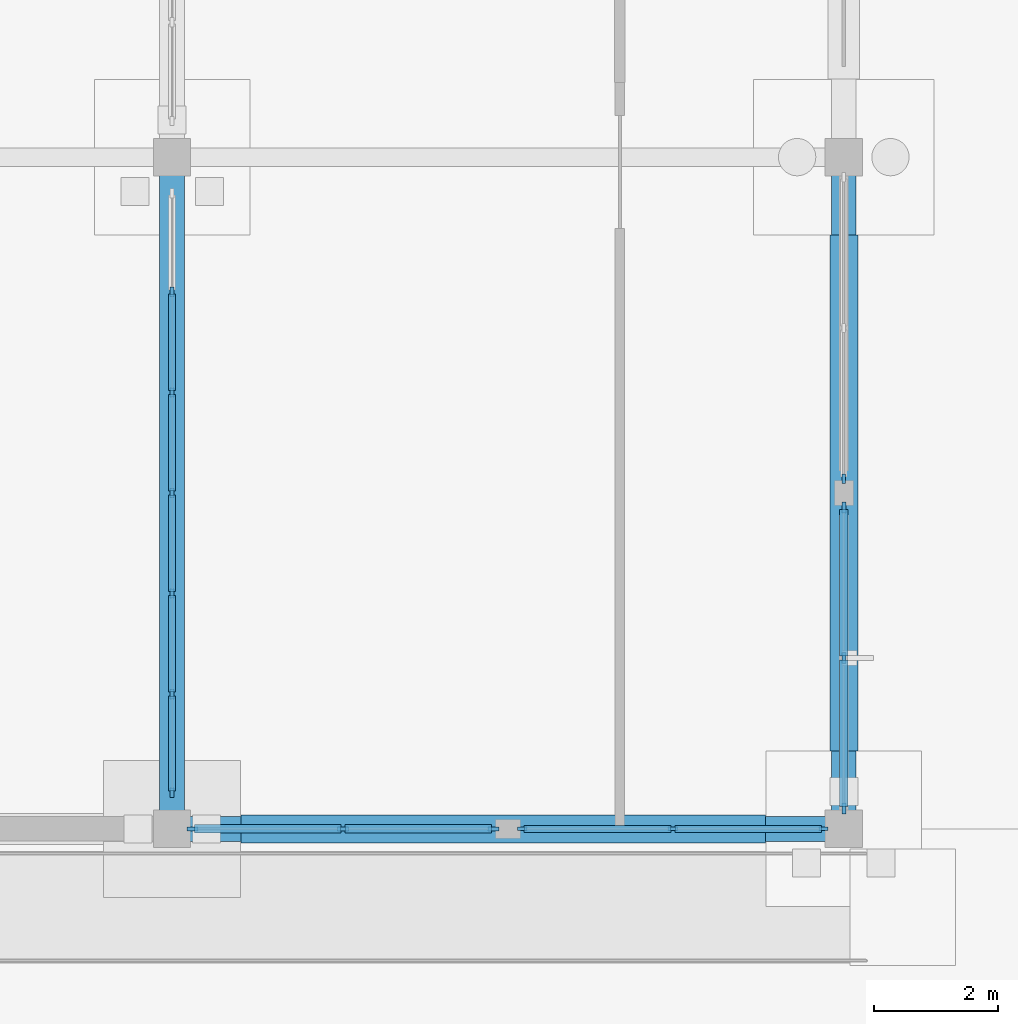
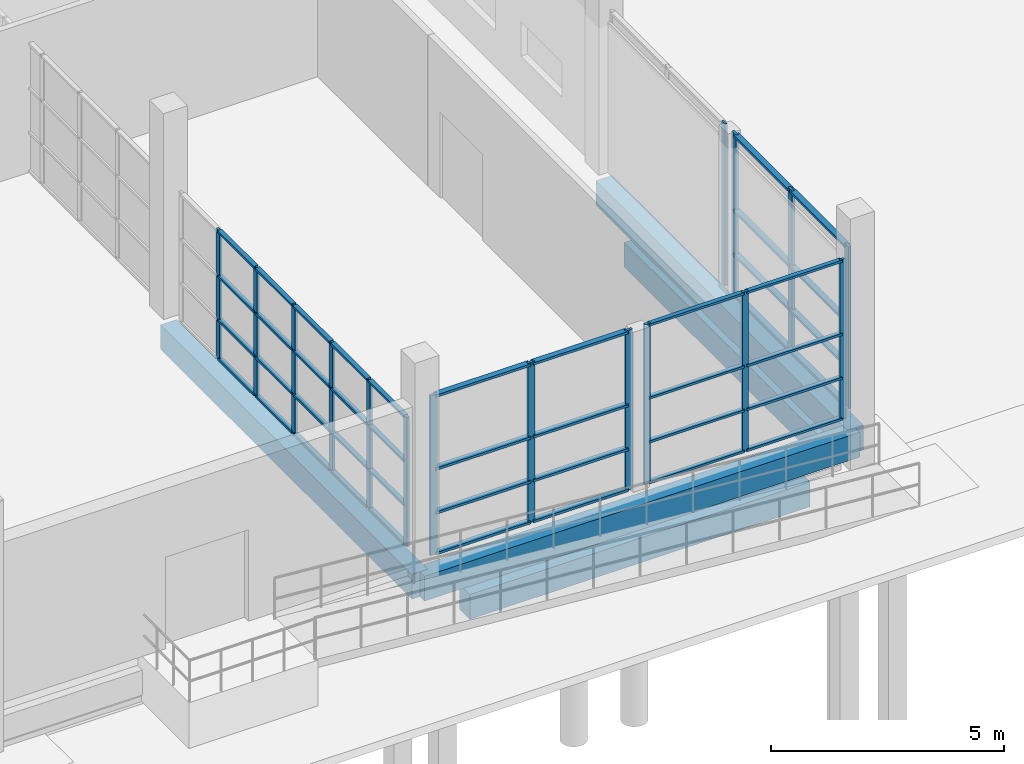
# One storey, part 19 of 138: 60 members, 5 beams, 5 elements without a shape of their own.
"""IFC4 building model written with IfcOpenShell, lengths in metres."""

from ifc_helpers import new_model, si_unit, direction, frame, origin, origin_2d, place, context, subcontext, project, spatial, rectangle, extrude, material, material_profile, profile_set, type_object, element, aggregate, save


model = new_model("IFC4")

# Units and contexts
model_context = context("Model", 3, precision=1e-05, world=origin(), true_north=direction((0.0, 1.0)))
body_context = subcontext(model_context, "Body", "Model", "MODEL_VIEW")
ifc_project = project(units=[si_unit("LENGTHUNIT", "METRE"), si_unit("AREAUNIT", "SQUARE_METRE"), si_unit("VOLUMEUNIT", "CUBIC_METRE"), si_unit("PLANEANGLEUNIT", "RADIAN"), si_unit("MASSUNIT", "GRAM", prefix="KILO")], contexts=[model_context])

# Site, building, storey
site_placement = place(None, origin())
site = spatial("IfcSite", under=ifc_project, at=site_placement, CompositionType="ELEMENT")
building_placement = place(site_placement, origin())
building = spatial("IfcBuilding", under=site, at=building_placement, Name="Zwinboog Wholesale Market", CompositionType="ELEMENT")
storey_placement = place(building_placement, origin())
storey = spatial("IfcBuildingStorey", under=building, at=storey_placement, Name="L00", CompositionType="ELEMENT", Elevation=0.0)

# Beams
ifc_material_1 = material(Name="Precast concrete C45/55", Category="concrete")
ifc_material_profile_1 = material_profile(ifc_material_1, rectangle(XDim=0.39990234375, YDim=0.64990234375, at=origin_2d()), Name="PC 400x650")
ifc_profile_set_1 = profile_set([ifc_material_profile_1], Name="Precast concrete C45/55")
beam_type_1 = type_object("IfcBeamType", Name="BT-05", PredefinedType="BEAM", material=ifc_profile_set_1)
for number, where, z_axis, x_axis, name in (
    (1, (32.39990234375, 0.0, -0.675048828125), (1.0, 0.0, 0.0), (0.0, 1.0, 0.0), "BG-05 (BMG-L00-0324-0000-0004)"),
    (2, (32.39990234375, 0.0, -0.675048828125), (0.0, 1.0, 0.0), (-1.0, 0.0, 0.0), "BG-05 (BMG-L00-0324-0000-0247)"),
    (3, (43.199951171875, 0.0, -0.675048828125), (0.0, 1.0, 0.0), (-1.0, 0.0, 0.0), "BG-05 (BMG-L00-0432-0000-0259)"),
):
    element("IfcBeam", number, at=place(storey_placement, frame(where, z_axis=z_axis, x_axis=x_axis)), inside=storey, type_object=beam_type_1, Name=name, PredefinedType="BEAM", context=body_context, shape_type="SweptSolid", body=[
        extrude(rectangle(XDim=0.39990234375, YDim=0.64990234375, at=origin_2d()), origin(), (0.0, 0.0, 1.0), 10.800048828125),
    ])
ifc_material_2 = material(Name="Concrete C35/45", Category="concrete")
ifc_material_profile_2 = material_profile(ifc_material_2, rectangle(XDim=0.449951171875, YDim=0.64990234375, at=origin_2d()), Name="RC 450x650")
ifc_profile_set_2 = profile_set([ifc_material_profile_2], Name="Concrete C35/45")
beam_type_2 = type_object("IfcBeamType", Name="BT-13", PredefinedType="USERDEFINED", material=ifc_profile_set_2)
beam_1_placement = place(storey_placement, frame((33.5048828125, 0.0, -1.52490234375), z_axis=(1.0, 0.0, 0.0), x_axis=(0.0, 1.0, 0.0)))
element("IfcBeam", 4, at=beam_1_placement, inside=storey, type_object=beam_type_2, Name="GB-02 (BM-GB-0004)", ObjectType="GROUND_BEAM", PredefinedType="USERDEFINED", context=body_context, shape_type="SweptSolid", body=[
    extrude(rectangle(XDim=0.449951171875, YDim=0.64990234375, at=origin_2d()), origin(), (0.0, 0.0, 1.0), 8.440185546875),
])
beam_2_placement = place(storey_placement, frame((43.199951171875, 1.2548828125, -1.52490234375), z_axis=(0.0, 1.0, 0.0), x_axis=(-1.0, 0.0, 0.0)))
element("IfcBeam", 5, at=beam_2_placement, inside=storey, type_object=beam_type_2, Name="GB-02 (BM-GB-0139)", ObjectType="GROUND_BEAM", PredefinedType="USERDEFINED", context=body_context, shape_type="SweptSolid", body=[
    extrude(rectangle(XDim=0.449951171875, YDim=0.64990234375, at=origin_2d()), origin(), (0.0, 0.0, 1.0), 8.2900390625),
])

# Curtain wall, members
ifc_material_3 = material(Name="Aluminium thermally broken curtain wall", Category="aluminium")
curtain_wall_type_1 = type_object("IfcCurtainWallType", Name="CWT-STALL-18", PredefinedType="USERDEFINED", material=ifc_material_3)
curtain_wall_1_placement = place(storey_placement, origin())
curtain_wall_1 = element("IfcCurtainWall", 6, at=curtain_wall_1_placement, inside=storey, type_object=curtain_wall_type_1, Name="CW-01 (CW-L00-019)", ObjectType="STOREFRONT_GLAZING", PredefinedType="USERDEFINED")
ifc_material_4 = material(Name="Aluminium EN AW-6060", Category="aluminium")
ifc_material_profile_3 = material_profile(ifc_material_4, rectangle(XDim=0.06494140625, YDim=0.179931640625, at=origin_2d()), Name="AL 65x180")
ifc_profile_set_3 = profile_set([ifc_material_profile_3], Name="Aluminium EN AW-6060")
member_type_1 = type_object("IfcMemberType", Name="CWM-65x180", PredefinedType="MULLION", material=ifc_profile_set_3)
member_1_placement = place(storey_placement, frame((32.7275390625, 0.0, 0.0), z_axis=(0.0, 0.0, 1.0), x_axis=(0.0, 1.0, 0.0)))
member_1 = element("IfcMember", 7, at=member_1_placement, type_object=member_type_1, Name="CW-01 mullion 1", PredefinedType="MULLION", context=body_context, shape_type="SweptSolid", body=[
    extrude(rectangle(XDim=0.06494140625, YDim=0.179931640625, at=origin_2d()), origin(), (0.0, 0.0, 1.0), 4.197998046875),
])
member_2_placement = place(storey_placement, frame((35.1474609375, 0.0, 0.0), z_axis=(0.0, 0.0, 1.0), x_axis=(0.0, 1.0, 0.0)))
member_2 = element("IfcMember", 8, at=member_2_placement, type_object=member_type_1, Name="CW-01 mullion 2", PredefinedType="MULLION", context=body_context, shape_type="SweptSolid", body=[
    extrude(rectangle(XDim=0.06494140625, YDim=0.179931640625, at=origin_2d()), origin(), (0.0, 0.0, 1.0), 4.197998046875),
])
member_3_placement = place(storey_placement, frame((37.5673828125, 0.0, 0.0), z_axis=(0.0, 0.0, 1.0), x_axis=(0.0, 1.0, 0.0)))
member_3 = element("IfcMember", 9, at=member_3_placement, type_object=member_type_1, Name="CW-01 mullion 3", PredefinedType="MULLION", context=body_context, shape_type="SweptSolid", body=[
    extrude(rectangle(XDim=0.06494140625, YDim=0.179931640625, at=origin_2d()), origin(), (0.0, 0.0, 1.0), 4.197998046875),
])

curtain_wall_type_2 = type_object("IfcCurtainWallType", Name="CWT-HALL-24", PredefinedType="USERDEFINED", material=ifc_material_3)
curtain_wall_2_placement = place(storey_placement, origin())
curtain_wall_2 = element("IfcCurtainWall", 10, at=curtain_wall_2_placement, inside=storey, type_object=curtain_wall_type_2, Name="CW-03 (CW-L00-021)", ObjectType="UNITIZED_CURTAIN_WALL", PredefinedType="USERDEFINED")
member_4_placement = place(storey_placement, frame((43.199951171875, 0.327392578125, 0.0), z_axis=(0.0, 0.0, 1.0), x_axis=(-1.0, 0.0, 0.0)))
member_4 = element("IfcMember", 11, at=member_4_placement, type_object=member_type_1, Name="CW-03 mullion 1", PredefinedType="MULLION", context=body_context, shape_type="SweptSolid", body=[
    extrude(rectangle(XDim=0.06494140625, YDim=0.179931640625, at=origin_2d()), origin(), (0.0, 0.0, 1.0), 4.25),
])
member_5_placement = place(storey_placement, frame((43.199951171875, 2.74755859375, 0.0), z_axis=(0.0, 0.0, 1.0), x_axis=(-1.0, 0.0, 0.0)))
member_5 = element("IfcMember", 12, at=member_5_placement, type_object=member_type_1, Name="CW-03 mullion 2", PredefinedType="MULLION", context=body_context, shape_type="SweptSolid", body=[
    extrude(rectangle(XDim=0.06494140625, YDim=0.179931640625, at=origin_2d()), origin(), (0.0, 0.0, 1.0), 4.25),
])
member_6_placement = place(storey_placement, frame((43.199951171875, 5.16748046875, 0.0), z_axis=(0.0, 0.0, 1.0), x_axis=(-1.0, 0.0, 0.0)))
member_6 = element("IfcMember", 13, at=member_6_placement, type_object=member_type_1, Name="CW-03 mullion 3", PredefinedType="MULLION", context=body_context, shape_type="SweptSolid", body=[
    extrude(rectangle(XDim=0.06494140625, YDim=0.179931640625, at=origin_2d()), origin(), (0.0, 0.0, 1.0), 4.25),
])

curtain_wall_type_3 = type_object("IfcCurtainWallType", Name="CWT-STALL-20", PredefinedType="USERDEFINED", material=ifc_material_3)
curtain_wall_3_placement = place(storey_placement, origin())
curtain_wall_3 = element("IfcCurtainWall", 14, at=curtain_wall_3_placement, inside=storey, type_object=curtain_wall_type_3, Name="CW-02 (CW-L00-020)", ObjectType="STOREFRONT_GLAZING", PredefinedType="USERDEFINED")
ifc_material_profile_4 = material_profile(ifc_material_4, rectangle(XDim=0.06005859375, YDim=0.14990234375, at=origin_2d()), Name="AL 60x150")
ifc_profile_set_4 = profile_set([ifc_material_profile_4], Name="Aluminium EN AW-6060")
member_type_2 = type_object("IfcMemberType", Name="CWM-60x150", PredefinedType="MULLION", material=ifc_profile_set_4)
member_7_placement = place(storey_placement, frame((38.030029296875, 0.0, 0.0), z_axis=(0.0, 0.0, 1.0), x_axis=(0.0, 1.0, 0.0)))
member_7 = element("IfcMember", 15, at=member_7_placement, type_object=member_type_2, Name="CW-02 mullion 1", PredefinedType="MULLION", context=body_context, shape_type="SweptSolid", body=[
    extrude(rectangle(XDim=0.06005859375, YDim=0.14990234375, at=origin_2d()), origin(), (0.0, 0.0, 1.0), 4.197998046875),
])
member_8_placement = place(storey_placement, frame((40.452392578125, 0.0, 0.0), z_axis=(0.0, 0.0, 1.0), x_axis=(0.0, 1.0, 0.0)))
member_8 = element("IfcMember", 16, at=member_8_placement, type_object=member_type_2, Name="CW-02 mullion 2", PredefinedType="MULLION", context=body_context, shape_type="SweptSolid", body=[
    extrude(rectangle(XDim=0.06005859375, YDim=0.14990234375, at=origin_2d()), origin(), (0.0, 0.0, 1.0), 4.197998046875),
])
member_9_placement = place(storey_placement, frame((42.875, 0.0, 0.0), z_axis=(0.0, 0.0, 1.0), x_axis=(0.0, 1.0, 0.0)))
member_9 = element("IfcMember", 17, at=member_9_placement, type_object=member_type_2, Name="CW-02 mullion 3", PredefinedType="MULLION", context=body_context, shape_type="SweptSolid", body=[
    extrude(rectangle(XDim=0.06005859375, YDim=0.14990234375, at=origin_2d()), origin(), (0.0, 0.0, 1.0), 4.197998046875),
])

# Curtain wall, member
curtain_wall_type_4 = type_object("IfcCurtainWallType", Name="CWT-GAL-16", PredefinedType="USERDEFINED", material=ifc_material_3)
curtain_wall_4_placement = place(storey_placement, origin())
curtain_wall_4 = element("IfcCurtainWall", 18, at=curtain_wall_4_placement, inside=storey, type_object=curtain_wall_type_4, Name="CW-04 (CW-L00-022)", ObjectType="UNITIZED_CURTAIN_WALL", PredefinedType="USERDEFINED")
member_10_placement = place(storey_placement, frame((43.199951171875, 5.6298828125, 0.0), z_axis=(0.0, 0.0, 1.0), x_axis=(-1.0, 0.0, 0.0)))
member_10 = element("IfcMember", 19, at=member_10_placement, type_object=member_type_2, Name="CW-04 mullion 1", PredefinedType="MULLION", context=body_context, shape_type="SweptSolid", body=[
    extrude(rectangle(XDim=0.06005859375, YDim=0.14990234375, at=origin_2d()), origin(), (0.0, 0.0, 1.0), 4.25),
])
aggregate(curtain_wall_4, [member_10])

# Member
ifc_material_profile_5 = material_profile(ifc_material_4, rectangle(XDim=0.139892578125, YDim=0.06494140625, at=origin_2d()), Name="AL 65x140")
ifc_profile_set_5 = profile_set([ifc_material_profile_5], Name="Aluminium EN AW-6060")
member_type_3 = type_object("IfcMemberType", Name="CWT-65x140", PredefinedType="USERDEFINED", material=ifc_profile_set_5)
member_11_placement = place(storey_placement, frame((32.760009765625, 0.0, 0.032470703125), z_axis=(1.0, 0.0, 0.0), x_axis=(0.0, 1.0, 0.0)))
member_11 = element("IfcMember", 20, at=member_11_placement, type_object=member_type_3, Name="CW-01 transom 1.1", ObjectType="TRANSOM", PredefinedType="USERDEFINED", context=body_context, shape_type="SweptSolid", body=[
    extrude(rectangle(XDim=0.139892578125, YDim=0.06494140625, at=origin_2d()), origin(), (0.0, 0.0, 1.0), 2.35498046875),
])

member_12_placement = place(storey_placement, frame((32.760009765625, 0.0, 1.10009765625), z_axis=(1.0, 0.0, 0.0), x_axis=(0.0, 1.0, 0.0)))
member_12 = element("IfcMember", 21, at=member_12_placement, type_object=member_type_3, Name="CW-01 transom 1.2", ObjectType="TRANSOM", PredefinedType="USERDEFINED", context=body_context, shape_type="SweptSolid", body=[
    extrude(rectangle(XDim=0.139892578125, YDim=0.06494140625, at=origin_2d()), origin(), (0.0, 0.0, 1.0), 2.35498046875),
])

member_13_placement = place(storey_placement, frame((32.760009765625, 0.0, 2.25), z_axis=(1.0, 0.0, 0.0), x_axis=(0.0, 1.0, 0.0)))
member_13 = element("IfcMember", 22, at=member_13_placement, type_object=member_type_3, Name="CW-01 transom 1.3", ObjectType="TRANSOM", PredefinedType="USERDEFINED", context=body_context, shape_type="SweptSolid", body=[
    extrude(rectangle(XDim=0.139892578125, YDim=0.06494140625, at=origin_2d()), origin(), (0.0, 0.0, 1.0), 2.35498046875),
])

member_14_placement = place(storey_placement, frame((32.760009765625, 0.0, 4.16552734375), z_axis=(1.0, 0.0, 0.0), x_axis=(0.0, 1.0, 0.0)))
member_14 = element("IfcMember", 23, at=member_14_placement, type_object=member_type_3, Name="CW-01 transom 1.4", ObjectType="TRANSOM", PredefinedType="USERDEFINED", context=body_context, shape_type="SweptSolid", body=[
    extrude(rectangle(XDim=0.139892578125, YDim=0.06494140625, at=origin_2d()), origin(), (0.0, 0.0, 1.0), 2.35498046875),
])

member_15_placement = place(storey_placement, frame((35.179931640625, 0.0, 0.032470703125), z_axis=(1.0, 0.0, 0.0), x_axis=(0.0, 1.0, 0.0)))
member_15 = element("IfcMember", 24, at=member_15_placement, type_object=member_type_3, Name="CW-01 transom 2.1", ObjectType="TRANSOM", PredefinedType="USERDEFINED", context=body_context, shape_type="SweptSolid", body=[
    extrude(rectangle(XDim=0.139892578125, YDim=0.06494140625, at=origin_2d()), origin(), (0.0, 0.0, 1.0), 2.35498046875),
])

member_16_placement = place(storey_placement, frame((35.179931640625, 0.0, 1.10009765625), z_axis=(1.0, 0.0, 0.0), x_axis=(0.0, 1.0, 0.0)))
member_16 = element("IfcMember", 25, at=member_16_placement, type_object=member_type_3, Name="CW-01 transom 2.2", ObjectType="TRANSOM", PredefinedType="USERDEFINED", context=body_context, shape_type="SweptSolid", body=[
    extrude(rectangle(XDim=0.139892578125, YDim=0.06494140625, at=origin_2d()), origin(), (0.0, 0.0, 1.0), 2.35498046875),
])

member_17_placement = place(storey_placement, frame((35.179931640625, 0.0, 2.25), z_axis=(1.0, 0.0, 0.0), x_axis=(0.0, 1.0, 0.0)))
member_17 = element("IfcMember", 26, at=member_17_placement, type_object=member_type_3, Name="CW-01 transom 2.3", ObjectType="TRANSOM", PredefinedType="USERDEFINED", context=body_context, shape_type="SweptSolid", body=[
    extrude(rectangle(XDim=0.139892578125, YDim=0.06494140625, at=origin_2d()), origin(), (0.0, 0.0, 1.0), 2.35498046875),
])

member_18_placement = place(storey_placement, frame((35.179931640625, 0.0, 4.16552734375), z_axis=(1.0, 0.0, 0.0), x_axis=(0.0, 1.0, 0.0)))
member_18 = element("IfcMember", 27, at=member_18_placement, type_object=member_type_3, Name="CW-01 transom 2.4", ObjectType="TRANSOM", PredefinedType="USERDEFINED", context=body_context, shape_type="SweptSolid", body=[
    extrude(rectangle(XDim=0.139892578125, YDim=0.06494140625, at=origin_2d()), origin(), (0.0, 0.0, 1.0), 2.35498046875),
])

aggregate(curtain_wall_1, [member_1, member_2, member_3, member_11, member_12, member_13, member_14, member_15, member_16, member_17, member_18])

member_19_placement = place(storey_placement, frame((43.199951171875, 0.360107421875, 0.032470703125), z_axis=(0.0, 1.0, 0.0), x_axis=(-1.0, 0.0, 0.0)))
member_19 = element("IfcMember", 28, at=member_19_placement, type_object=member_type_3, Name="CW-03 transom 1.1", ObjectType="TRANSOM", PredefinedType="USERDEFINED", context=body_context, shape_type="SweptSolid", body=[
    extrude(rectangle(XDim=0.139892578125, YDim=0.06494140625, at=origin_2d()), origin(), (0.0, 0.0, 1.0), 2.35498046875),
])

member_20_placement = place(storey_placement, frame((43.199951171875, 0.360107421875, 1.10009765625), z_axis=(0.0, 1.0, 0.0), x_axis=(-1.0, 0.0, 0.0)))
member_20 = element("IfcMember", 29, at=member_20_placement, type_object=member_type_3, Name="CW-03 transom 1.2", ObjectType="TRANSOM", PredefinedType="USERDEFINED", context=body_context, shape_type="SweptSolid", body=[
    extrude(rectangle(XDim=0.139892578125, YDim=0.06494140625, at=origin_2d()), origin(), (0.0, 0.0, 1.0), 2.35498046875),
])

member_21_placement = place(storey_placement, frame((43.199951171875, 0.360107421875, 2.25), z_axis=(0.0, 1.0, 0.0), x_axis=(-1.0, 0.0, 0.0)))
member_21 = element("IfcMember", 30, at=member_21_placement, type_object=member_type_3, Name="CW-03 transom 1.3", ObjectType="TRANSOM", PredefinedType="USERDEFINED", context=body_context, shape_type="SweptSolid", body=[
    extrude(rectangle(XDim=0.139892578125, YDim=0.06494140625, at=origin_2d()), origin(), (0.0, 0.0, 1.0), 2.35498046875),
])

member_22_placement = place(storey_placement, frame((43.199951171875, 0.360107421875, 4.217529296875), z_axis=(0.0, 1.0, 0.0), x_axis=(-1.0, 0.0, 0.0)))
member_22 = element("IfcMember", 31, at=member_22_placement, type_object=member_type_3, Name="CW-03 transom 1.4", ObjectType="TRANSOM", PredefinedType="USERDEFINED", context=body_context, shape_type="SweptSolid", body=[
    extrude(rectangle(XDim=0.139892578125, YDim=0.06494140625, at=origin_2d()), origin(), (0.0, 0.0, 1.0), 2.35498046875),
])

member_23_placement = place(storey_placement, frame((43.199951171875, 2.780029296875, 0.032470703125), z_axis=(0.0, 1.0, 0.0), x_axis=(-1.0, 0.0, 0.0)))
member_23 = element("IfcMember", 32, at=member_23_placement, type_object=member_type_3, Name="CW-03 transom 2.1", ObjectType="TRANSOM", PredefinedType="USERDEFINED", context=body_context, shape_type="SweptSolid", body=[
    extrude(rectangle(XDim=0.139892578125, YDim=0.06494140625, at=origin_2d()), origin(), (0.0, 0.0, 1.0), 2.35498046875),
])

member_24_placement = place(storey_placement, frame((43.199951171875, 2.780029296875, 1.10009765625), z_axis=(0.0, 1.0, 0.0), x_axis=(-1.0, 0.0, 0.0)))
member_24 = element("IfcMember", 33, at=member_24_placement, type_object=member_type_3, Name="CW-03 transom 2.2", ObjectType="TRANSOM", PredefinedType="USERDEFINED", context=body_context, shape_type="SweptSolid", body=[
    extrude(rectangle(XDim=0.139892578125, YDim=0.06494140625, at=origin_2d()), origin(), (0.0, 0.0, 1.0), 2.35498046875),
])

member_25_placement = place(storey_placement, frame((43.199951171875, 2.780029296875, 2.25), z_axis=(0.0, 1.0, 0.0), x_axis=(-1.0, 0.0, 0.0)))
member_25 = element("IfcMember", 34, at=member_25_placement, type_object=member_type_3, Name="CW-03 transom 2.3", ObjectType="TRANSOM", PredefinedType="USERDEFINED", context=body_context, shape_type="SweptSolid", body=[
    extrude(rectangle(XDim=0.139892578125, YDim=0.06494140625, at=origin_2d()), origin(), (0.0, 0.0, 1.0), 2.35498046875),
])

member_26_placement = place(storey_placement, frame((43.199951171875, 2.780029296875, 4.217529296875), z_axis=(0.0, 1.0, 0.0), x_axis=(-1.0, 0.0, 0.0)))
member_26 = element("IfcMember", 35, at=member_26_placement, type_object=member_type_3, Name="CW-03 transom 2.4", ObjectType="TRANSOM", PredefinedType="USERDEFINED", context=body_context, shape_type="SweptSolid", body=[
    extrude(rectangle(XDim=0.139892578125, YDim=0.06494140625, at=origin_2d()), origin(), (0.0, 0.0, 1.0), 2.35498046875),
])

aggregate(curtain_wall_2, [member_4, member_5, member_6, member_19, member_20, member_21, member_22, member_23, member_24, member_25, member_26])

ifc_material_profile_6 = material_profile(ifc_material_4, rectangle(XDim=0.110107421875, YDim=0.06005859375, at=origin_2d()), Name="AL 60x110")
ifc_profile_set_6 = profile_set([ifc_material_profile_6], Name="Aluminium EN AW-6060")
member_type_4 = type_object("IfcMemberType", Name="CWT-60x110", PredefinedType="USERDEFINED", material=ifc_profile_set_6)
member_27_placement = place(storey_placement, frame((38.06005859375, 0.0, 0.030029296875), z_axis=(1.0, 0.0, 0.0), x_axis=(0.0, 1.0, 0.0)))
member_27 = element("IfcMember", 36, at=member_27_placement, type_object=member_type_4, Name="CW-02 transom 1.1", ObjectType="TRANSOM", PredefinedType="USERDEFINED", context=body_context, shape_type="SweptSolid", body=[
    extrude(rectangle(XDim=0.110107421875, YDim=0.06005859375, at=origin_2d()), origin(), (0.0, 0.0, 1.0), 2.362548828125),
])

member_28_placement = place(storey_placement, frame((38.06005859375, 0.0, 1.10009765625), z_axis=(1.0, 0.0, 0.0), x_axis=(0.0, 1.0, 0.0)))
member_28 = element("IfcMember", 37, at=member_28_placement, type_object=member_type_4, Name="CW-02 transom 1.2", ObjectType="TRANSOM", PredefinedType="USERDEFINED", context=body_context, shape_type="SweptSolid", body=[
    extrude(rectangle(XDim=0.110107421875, YDim=0.06005859375, at=origin_2d()), origin(), (0.0, 0.0, 1.0), 2.362548828125),
])

member_29_placement = place(storey_placement, frame((38.06005859375, 0.0, 2.25), z_axis=(1.0, 0.0, 0.0), x_axis=(0.0, 1.0, 0.0)))
member_29 = element("IfcMember", 38, at=member_29_placement, type_object=member_type_4, Name="CW-02 transom 1.3", ObjectType="TRANSOM", PredefinedType="USERDEFINED", context=body_context, shape_type="SweptSolid", body=[
    extrude(rectangle(XDim=0.110107421875, YDim=0.06005859375, at=origin_2d()), origin(), (0.0, 0.0, 1.0), 2.362548828125),
])

member_30_placement = place(storey_placement, frame((38.06005859375, 0.0, 4.16796875), z_axis=(1.0, 0.0, 0.0), x_axis=(0.0, 1.0, 0.0)))
member_30 = element("IfcMember", 39, at=member_30_placement, type_object=member_type_4, Name="CW-02 transom 1.4", ObjectType="TRANSOM", PredefinedType="USERDEFINED", context=body_context, shape_type="SweptSolid", body=[
    extrude(rectangle(XDim=0.110107421875, YDim=0.06005859375, at=origin_2d()), origin(), (0.0, 0.0, 1.0), 2.362548828125),
])

member_31_placement = place(storey_placement, frame((40.482421875, 0.0, 0.030029296875), z_axis=(1.0, 0.0, 0.0), x_axis=(0.0, 1.0, 0.0)))
member_31 = element("IfcMember", 40, at=member_31_placement, type_object=member_type_4, Name="CW-02 transom 2.1", ObjectType="TRANSOM", PredefinedType="USERDEFINED", context=body_context, shape_type="SweptSolid", body=[
    extrude(rectangle(XDim=0.110107421875, YDim=0.06005859375, at=origin_2d()), origin(), (0.0, 0.0, 1.0), 2.362548828125),
])

member_32_placement = place(storey_placement, frame((40.482421875, 0.0, 1.10009765625), z_axis=(1.0, 0.0, 0.0), x_axis=(0.0, 1.0, 0.0)))
member_32 = element("IfcMember", 41, at=member_32_placement, type_object=member_type_4, Name="CW-02 transom 2.2", ObjectType="TRANSOM", PredefinedType="USERDEFINED", context=body_context, shape_type="SweptSolid", body=[
    extrude(rectangle(XDim=0.110107421875, YDim=0.06005859375, at=origin_2d()), origin(), (0.0, 0.0, 1.0), 2.362548828125),
])

member_33_placement = place(storey_placement, frame((40.482421875, 0.0, 2.25), z_axis=(1.0, 0.0, 0.0), x_axis=(0.0, 1.0, 0.0)))
member_33 = element("IfcMember", 42, at=member_33_placement, type_object=member_type_4, Name="CW-02 transom 2.3", ObjectType="TRANSOM", PredefinedType="USERDEFINED", context=body_context, shape_type="SweptSolid", body=[
    extrude(rectangle(XDim=0.110107421875, YDim=0.06005859375, at=origin_2d()), origin(), (0.0, 0.0, 1.0), 2.362548828125),
])

member_34_placement = place(storey_placement, frame((40.482421875, 0.0, 4.16796875), z_axis=(1.0, 0.0, 0.0), x_axis=(0.0, 1.0, 0.0)))
member_34 = element("IfcMember", 43, at=member_34_placement, type_object=member_type_4, Name="CW-02 transom 2.4", ObjectType="TRANSOM", PredefinedType="USERDEFINED", context=body_context, shape_type="SweptSolid", body=[
    extrude(rectangle(XDim=0.110107421875, YDim=0.06005859375, at=origin_2d()), origin(), (0.0, 0.0, 1.0), 2.362548828125),
])

aggregate(curtain_wall_3, [member_7, member_8, member_9, member_27, member_28, member_29, member_30, member_31, member_32, member_33, member_34])

# Curtain wall, members
curtain_wall_type_5 = type_object("IfcCurtainWallType", Name="CWT-INT-STALL", PredefinedType="USERDEFINED", material=ifc_material_3)
curtain_wall_5_placement = place(storey_placement, origin())
curtain_wall_5 = element("IfcCurtainWall", 44, at=curtain_wall_5_placement, inside=storey, type_object=curtain_wall_type_5, Name="CW-07 (CW-STL-217)", ObjectType="STOREFRONT_GLAZING", PredefinedType="USERDEFINED")
ifc_material_profile_7 = material_profile(ifc_material_4, rectangle(XDim=0.06005859375, YDim=0.14990234375, at=origin_2d()), Name="AL 60x150")
ifc_profile_set_7 = profile_set([ifc_material_profile_7], Name="Aluminium EN AW-6060")
member_type_5 = type_object("IfcMemberType", Name="CWM-INT-60x120", PredefinedType="MULLION", material=ifc_profile_set_7)
member_35_placement = place(storey_placement, frame((32.39990234375, 0.580078125, 0.0), z_axis=(0.0, 0.0, 1.0), x_axis=(-1.0, 0.0, 0.0)))
member_35 = element("IfcMember", 45, at=member_35_placement, type_object=member_type_5, Name="CW-07 mullion 1", PredefinedType="MULLION", context=body_context, shape_type="SweptSolid", body=[
    extrude(rectangle(XDim=0.06005859375, YDim=0.14990234375, at=origin_2d()), origin(), (0.0, 0.0, 1.0), 3.39990234375),
])
member_36_placement = place(storey_placement, frame((32.39990234375, 2.166748046875, 0.0), z_axis=(0.0, 0.0, 1.0), x_axis=(-1.0, 0.0, 0.0)))
member_36 = element("IfcMember", 46, at=member_36_placement, type_object=member_type_5, Name="CW-07 mullion 2", PredefinedType="MULLION", context=body_context, shape_type="SweptSolid", body=[
    extrude(rectangle(XDim=0.06005859375, YDim=0.14990234375, at=origin_2d()), origin(), (0.0, 0.0, 1.0), 3.39990234375),
])
member_37_placement = place(storey_placement, frame((32.39990234375, 3.783447265625, 0.0), z_axis=(0.0, 0.0, 1.0), x_axis=(-1.0, 0.0, 0.0)))
member_37 = element("IfcMember", 47, at=member_37_placement, type_object=member_type_5, Name="CW-07 mullion 3", PredefinedType="MULLION", context=body_context, shape_type="SweptSolid", body=[
    extrude(rectangle(XDim=0.06005859375, YDim=0.14990234375, at=origin_2d()), origin(), (0.0, 0.0, 1.0), 3.39990234375),
])
member_38_placement = place(storey_placement, frame((32.39990234375, 5.39990234375, 0.0), z_axis=(0.0, 0.0, 1.0), x_axis=(-1.0, 0.0, 0.0)))
member_38 = element("IfcMember", 48, at=member_38_placement, type_object=member_type_5, Name="CW-07 mullion 4", PredefinedType="MULLION", context=body_context, shape_type="SweptSolid", body=[
    extrude(rectangle(XDim=0.06005859375, YDim=0.14990234375, at=origin_2d()), origin(), (0.0, 0.0, 1.0), 3.39990234375),
])
member_39_placement = place(storey_placement, frame((32.39990234375, 7.0166015625, 0.0), z_axis=(0.0, 0.0, 1.0), x_axis=(-1.0, 0.0, 0.0)))
member_39 = element("IfcMember", 49, at=member_39_placement, type_object=member_type_5, Name="CW-07 mullion 5", PredefinedType="MULLION", context=body_context, shape_type="SweptSolid", body=[
    extrude(rectangle(XDim=0.06005859375, YDim=0.14990234375, at=origin_2d()), origin(), (0.0, 0.0, 1.0), 3.39990234375),
])
member_40_placement = place(storey_placement, frame((32.39990234375, 8.63330078125, 0.0), z_axis=(0.0, 0.0, 1.0), x_axis=(-1.0, 0.0, 0.0)))
member_40 = element("IfcMember", 50, at=member_40_placement, type_object=member_type_5, Name="CW-07 mullion 6", PredefinedType="MULLION", context=body_context, shape_type="SweptSolid", body=[
    extrude(rectangle(XDim=0.06005859375, YDim=0.14990234375, at=origin_2d()), origin(), (0.0, 0.0, 1.0), 3.39990234375),
])
ifc_material_profile_8 = material_profile(ifc_material_4, rectangle(XDim=0.110107421875, YDim=0.06005859375, at=origin_2d()), Name="AL 60x110")
ifc_profile_set_8 = profile_set([ifc_material_profile_8], Name="Aluminium EN AW-6060")
member_type_6 = type_object("IfcMemberType", Name="CWT-INT-60x100", PredefinedType="USERDEFINED", material=ifc_profile_set_8)
member_41_placement = place(storey_placement, frame((32.39990234375, 0.610107421875, 0.030029296875), z_axis=(0.0, 1.0, 0.0), x_axis=(-1.0, 0.0, 0.0)))
member_41 = element("IfcMember", 51, at=member_41_placement, type_object=member_type_6, Name="CW-07 transom 1.1", ObjectType="TRANSOM", PredefinedType="USERDEFINED", context=body_context, shape_type="SweptSolid", body=[
    extrude(rectangle(XDim=0.110107421875, YDim=0.06005859375, at=origin_2d()), origin(), (0.0, 0.0, 1.0), 1.526611328125),
])
member_42_placement = place(storey_placement, frame((32.39990234375, 0.610107421875, 1.050048828125), z_axis=(0.0, 1.0, 0.0), x_axis=(-1.0, 0.0, 0.0)))
member_42 = element("IfcMember", 52, at=member_42_placement, type_object=member_type_6, Name="CW-07 transom 1.2", ObjectType="TRANSOM", PredefinedType="USERDEFINED", context=body_context, shape_type="SweptSolid", body=[
    extrude(rectangle(XDim=0.110107421875, YDim=0.06005859375, at=origin_2d()), origin(), (0.0, 0.0, 1.0), 1.526611328125),
])
member_43_placement = place(storey_placement, frame((32.39990234375, 0.610107421875, 2.199951171875), z_axis=(0.0, 1.0, 0.0), x_axis=(-1.0, 0.0, 0.0)))
member_43 = element("IfcMember", 53, at=member_43_placement, type_object=member_type_6, Name="CW-07 transom 1.3", ObjectType="TRANSOM", PredefinedType="USERDEFINED", context=body_context, shape_type="SweptSolid", body=[
    extrude(rectangle(XDim=0.110107421875, YDim=0.06005859375, at=origin_2d()), origin(), (0.0, 0.0, 1.0), 1.526611328125),
])
member_44_placement = place(storey_placement, frame((32.39990234375, 0.610107421875, 3.3701171875), z_axis=(0.0, 1.0, 0.0), x_axis=(-1.0, 0.0, 0.0)))
member_44 = element("IfcMember", 54, at=member_44_placement, type_object=member_type_6, Name="CW-07 transom 1.4", ObjectType="TRANSOM", PredefinedType="USERDEFINED", context=body_context, shape_type="SweptSolid", body=[
    extrude(rectangle(XDim=0.110107421875, YDim=0.06005859375, at=origin_2d()), origin(), (0.0, 0.0, 1.0), 1.526611328125),
])
member_45_placement = place(storey_placement, frame((32.39990234375, 2.19677734375, 0.030029296875), z_axis=(0.0, 1.0, 0.0), x_axis=(-1.0, 0.0, 0.0)))
member_45 = element("IfcMember", 55, at=member_45_placement, type_object=member_type_6, Name="CW-07 transom 2.1", ObjectType="TRANSOM", PredefinedType="USERDEFINED", context=body_context, shape_type="SweptSolid", body=[
    extrude(rectangle(XDim=0.110107421875, YDim=0.06005859375, at=origin_2d()), origin(), (0.0, 0.0, 1.0), 1.556640625),
])
member_46_placement = place(storey_placement, frame((32.39990234375, 2.19677734375, 1.050048828125), z_axis=(0.0, 1.0, 0.0), x_axis=(-1.0, 0.0, 0.0)))
member_46 = element("IfcMember", 56, at=member_46_placement, type_object=member_type_6, Name="CW-07 transom 2.2", ObjectType="TRANSOM", PredefinedType="USERDEFINED", context=body_context, shape_type="SweptSolid", body=[
    extrude(rectangle(XDim=0.110107421875, YDim=0.06005859375, at=origin_2d()), origin(), (0.0, 0.0, 1.0), 1.556640625),
])
member_47_placement = place(storey_placement, frame((32.39990234375, 2.19677734375, 2.199951171875), z_axis=(0.0, 1.0, 0.0), x_axis=(-1.0, 0.0, 0.0)))
member_47 = element("IfcMember", 57, at=member_47_placement, type_object=member_type_6, Name="CW-07 transom 2.3", ObjectType="TRANSOM", PredefinedType="USERDEFINED", context=body_context, shape_type="SweptSolid", body=[
    extrude(rectangle(XDim=0.110107421875, YDim=0.06005859375, at=origin_2d()), origin(), (0.0, 0.0, 1.0), 1.556640625),
])
member_48_placement = place(storey_placement, frame((32.39990234375, 2.19677734375, 3.3701171875), z_axis=(0.0, 1.0, 0.0), x_axis=(-1.0, 0.0, 0.0)))
member_48 = element("IfcMember", 58, at=member_48_placement, type_object=member_type_6, Name="CW-07 transom 2.4", ObjectType="TRANSOM", PredefinedType="USERDEFINED", context=body_context, shape_type="SweptSolid", body=[
    extrude(rectangle(XDim=0.110107421875, YDim=0.06005859375, at=origin_2d()), origin(), (0.0, 0.0, 1.0), 1.556640625),
])
member_49_placement = place(storey_placement, frame((32.39990234375, 3.813232421875, 0.030029296875), z_axis=(0.0, 1.0, 0.0), x_axis=(-1.0, 0.0, 0.0)))
member_49 = element("IfcMember", 59, at=member_49_placement, type_object=member_type_6, Name="CW-07 transom 3.1", ObjectType="TRANSOM", PredefinedType="USERDEFINED", context=body_context, shape_type="SweptSolid", body=[
    extrude(rectangle(XDim=0.110107421875, YDim=0.06005859375, at=origin_2d()), origin(), (0.0, 0.0, 1.0), 1.556884765625),
])
member_50_placement = place(storey_placement, frame((32.39990234375, 3.813232421875, 1.050048828125), z_axis=(0.0, 1.0, 0.0), x_axis=(-1.0, 0.0, 0.0)))
member_50 = element("IfcMember", 60, at=member_50_placement, type_object=member_type_6, Name="CW-07 transom 3.2", ObjectType="TRANSOM", PredefinedType="USERDEFINED", context=body_context, shape_type="SweptSolid", body=[
    extrude(rectangle(XDim=0.110107421875, YDim=0.06005859375, at=origin_2d()), origin(), (0.0, 0.0, 1.0), 1.556884765625),
])
member_51_placement = place(storey_placement, frame((32.39990234375, 3.813232421875, 2.199951171875), z_axis=(0.0, 1.0, 0.0), x_axis=(-1.0, 0.0, 0.0)))
member_51 = element("IfcMember", 61, at=member_51_placement, type_object=member_type_6, Name="CW-07 transom 3.3", ObjectType="TRANSOM", PredefinedType="USERDEFINED", context=body_context, shape_type="SweptSolid", body=[
    extrude(rectangle(XDim=0.110107421875, YDim=0.06005859375, at=origin_2d()), origin(), (0.0, 0.0, 1.0), 1.556884765625),
])
member_52_placement = place(storey_placement, frame((32.39990234375, 3.813232421875, 3.3701171875), z_axis=(0.0, 1.0, 0.0), x_axis=(-1.0, 0.0, 0.0)))
member_52 = element("IfcMember", 62, at=member_52_placement, type_object=member_type_6, Name="CW-07 transom 3.4", ObjectType="TRANSOM", PredefinedType="USERDEFINED", context=body_context, shape_type="SweptSolid", body=[
    extrude(rectangle(XDim=0.110107421875, YDim=0.06005859375, at=origin_2d()), origin(), (0.0, 0.0, 1.0), 1.556884765625),
])
member_53_placement = place(storey_placement, frame((32.39990234375, 5.429931640625, 0.030029296875), z_axis=(0.0, 1.0, 0.0), x_axis=(-1.0, 0.0, 0.0)))
member_53 = element("IfcMember", 63, at=member_53_placement, type_object=member_type_6, Name="CW-07 transom 4.1", ObjectType="TRANSOM", PredefinedType="USERDEFINED", context=body_context, shape_type="SweptSolid", body=[
    extrude(rectangle(XDim=0.110107421875, YDim=0.06005859375, at=origin_2d()), origin(), (0.0, 0.0, 1.0), 1.556640625),
])
member_54_placement = place(storey_placement, frame((32.39990234375, 5.429931640625, 1.050048828125), z_axis=(0.0, 1.0, 0.0), x_axis=(-1.0, 0.0, 0.0)))
member_54 = element("IfcMember", 64, at=member_54_placement, type_object=member_type_6, Name="CW-07 transom 4.2", ObjectType="TRANSOM", PredefinedType="USERDEFINED", context=body_context, shape_type="SweptSolid", body=[
    extrude(rectangle(XDim=0.110107421875, YDim=0.06005859375, at=origin_2d()), origin(), (0.0, 0.0, 1.0), 1.556640625),
])
member_55_placement = place(storey_placement, frame((32.39990234375, 5.429931640625, 2.199951171875), z_axis=(0.0, 1.0, 0.0), x_axis=(-1.0, 0.0, 0.0)))
member_55 = element("IfcMember", 65, at=member_55_placement, type_object=member_type_6, Name="CW-07 transom 4.3", ObjectType="TRANSOM", PredefinedType="USERDEFINED", context=body_context, shape_type="SweptSolid", body=[
    extrude(rectangle(XDim=0.110107421875, YDim=0.06005859375, at=origin_2d()), origin(), (0.0, 0.0, 1.0), 1.556640625),
])
member_56_placement = place(storey_placement, frame((32.39990234375, 5.429931640625, 3.3701171875), z_axis=(0.0, 1.0, 0.0), x_axis=(-1.0, 0.0, 0.0)))
member_56 = element("IfcMember", 66, at=member_56_placement, type_object=member_type_6, Name="CW-07 transom 4.4", ObjectType="TRANSOM", PredefinedType="USERDEFINED", context=body_context, shape_type="SweptSolid", body=[
    extrude(rectangle(XDim=0.110107421875, YDim=0.06005859375, at=origin_2d()), origin(), (0.0, 0.0, 1.0), 1.556640625),
])
member_57_placement = place(storey_placement, frame((32.39990234375, 7.046630859375, 0.030029296875), z_axis=(0.0, 1.0, 0.0), x_axis=(-1.0, 0.0, 0.0)))
member_57 = element("IfcMember", 67, at=member_57_placement, type_object=member_type_6, Name="CW-07 transom 5.1", ObjectType="TRANSOM", PredefinedType="USERDEFINED", context=body_context, shape_type="SweptSolid", body=[
    extrude(rectangle(XDim=0.110107421875, YDim=0.06005859375, at=origin_2d()), origin(), (0.0, 0.0, 1.0), 1.556640625),
])
member_58_placement = place(storey_placement, frame((32.39990234375, 7.046630859375, 1.050048828125), z_axis=(0.0, 1.0, 0.0), x_axis=(-1.0, 0.0, 0.0)))
member_58 = element("IfcMember", 68, at=member_58_placement, type_object=member_type_6, Name="CW-07 transom 5.2", ObjectType="TRANSOM", PredefinedType="USERDEFINED", context=body_context, shape_type="SweptSolid", body=[
    extrude(rectangle(XDim=0.110107421875, YDim=0.06005859375, at=origin_2d()), origin(), (0.0, 0.0, 1.0), 1.556640625),
])
member_59_placement = place(storey_placement, frame((32.39990234375, 7.046630859375, 2.199951171875), z_axis=(0.0, 1.0, 0.0), x_axis=(-1.0, 0.0, 0.0)))
member_59 = element("IfcMember", 69, at=member_59_placement, type_object=member_type_6, Name="CW-07 transom 5.3", ObjectType="TRANSOM", PredefinedType="USERDEFINED", context=body_context, shape_type="SweptSolid", body=[
    extrude(rectangle(XDim=0.110107421875, YDim=0.06005859375, at=origin_2d()), origin(), (0.0, 0.0, 1.0), 1.556640625),
])
member_60_placement = place(storey_placement, frame((32.39990234375, 7.046630859375, 3.3701171875), z_axis=(0.0, 1.0, 0.0), x_axis=(-1.0, 0.0, 0.0)))
member_60 = element("IfcMember", 70, at=member_60_placement, type_object=member_type_6, Name="CW-07 transom 5.4", ObjectType="TRANSOM", PredefinedType="USERDEFINED", context=body_context, shape_type="SweptSolid", body=[
    extrude(rectangle(XDim=0.110107421875, YDim=0.06005859375, at=origin_2d()), origin(), (0.0, 0.0, 1.0), 1.556640625),
])
aggregate(curtain_wall_5, [member_35, member_36, member_37, member_38, member_39, member_40, member_41, member_42, member_43, member_44, member_45, member_46, member_47, member_48, member_49, member_50, member_51, member_52, member_53, member_54, member_55, member_56, member_57, member_58, member_59, member_60])

save(model, "model.ifc")
